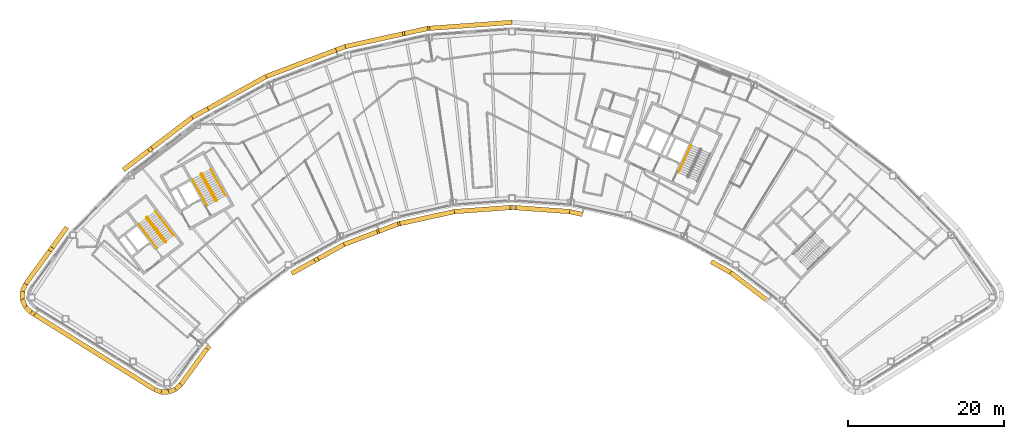
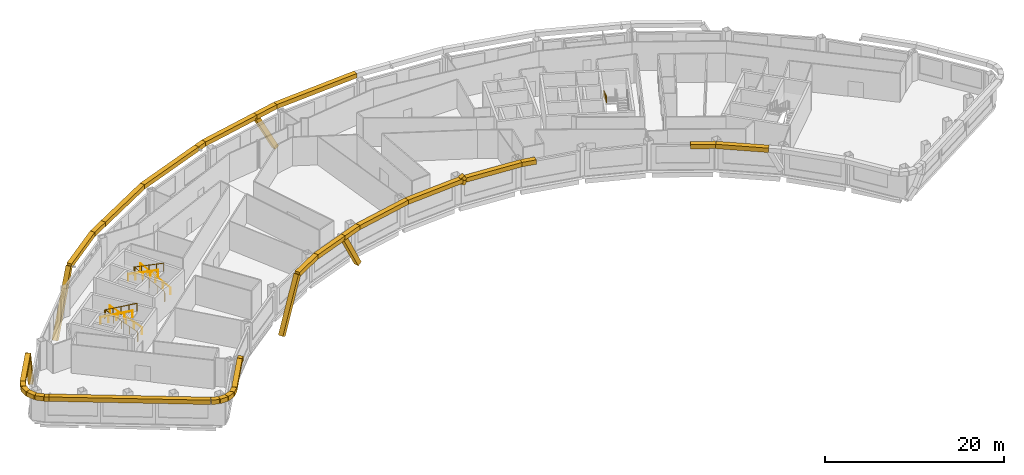
# One storey, part 14 of 16: 37 coverings, 7 railings.
"""IFC4 building model written with IfcOpenShell, lengths in metres."""

from ifc_helpers import new_model, si_unit, direction, frame, origin, origin_2d, place, context, subcontext, project, spatial, rectangle, circle, extrude, material, material_profile, profile_set, type_object, element, save


model = new_model("IFC4")

# Units and contexts
model_context = context("Model", 3, precision=1e-05, world=origin(), true_north=direction((0.0, 1.0)))
body_context = subcontext(model_context, "Body", "Model", "MODEL_VIEW")
ifc_project = project(units=[si_unit("LENGTHUNIT", "METRE"), si_unit("AREAUNIT", "SQUARE_METRE"), si_unit("VOLUMEUNIT", "CUBIC_METRE"), si_unit("PLANEANGLEUNIT", "RADIAN"), si_unit("MASSUNIT", "GRAM", prefix="KILO")], contexts=[model_context])

# Site, building, storey
site_placement = place(None, origin())
site = spatial("IfcSite", under=ifc_project, at=site_placement, CompositionType="ELEMENT")
building_placement = place(site_placement, origin())
building = spatial("IfcBuilding", under=site, at=building_placement, Name="Tuul Gate Civic Tower", CompositionType="ELEMENT")
storey_placement = place(building_placement, frame((0.0, 0.0, 261.0)))
storey = spatial("IfcBuildingStorey", under=building, at=storey_placement, Name="Level 59", CompositionType="ELEMENT", Elevation=261.0)

# Railings
ifc_material_1 = material(Name="Painted steel", Category="steel")
railing_type_1 = type_object("IfcRailingType", Name="Stair guard", PredefinedType="GUARDRAIL", material=ifc_material_1)
railing_1_placement = place(storey_placement, frame((-33.382080078125, -13.515380859375, 0.0)))
element("IfcRailing", 1, at=railing_1_placement, inside=storey, type_object=railing_type_1, Name="Level 59 ST-1 stair guard 1", PredefinedType="GUARDRAIL", context=body_context, shape_type="SweptSolid", body=[
    extrude(circle(Radius=0.02392578125, at=origin_2d()), frame((0.0, 0.0, 1.076171875), z_axis=(-0.795879841968, -0.605454603706, 0.0), x_axis=(0.605454603706, -0.795879841968, 0.0)), (0.0, 0.0, 1.0), 0.10009765625),
    extrude(circle(Radius=0.02392578125, at=origin_2d()), frame((-0.07958984375, -0.060546875, 1.076171875), z_axis=(0.408991890351, 0.599481263939, 0.688002796371), x_axis=(-0.826063974707, 0.563576356576, 0.0)), (0.0, 0.0, 1.0), 0.2177734375),
    extrude(circle(Radius=0.02392578125, at=origin_2d()), frame((0.009521484375, 0.070068359375, 1.22607421875), z_axis=(-0.541810893183, 0.711627203922, 0.44724454012), x_axis=(-0.795637165283, -0.60577347352, 0.0)), (0.0, 0.0, 1.0), 4.3603515625),
    extrude(circle(Radius=0.02392578125, at=origin_2d()), frame((-2.35302734375, 3.173095703125, 3.17626953125), z_axis=(-0.990893089246, 0.134650977284, 0.0), x_axis=(-0.134650977284, -0.990893089246, 0.0)), (0.0, 0.0, 1.0), 0.07080078125),
    extrude(circle(Radius=0.02392578125, at=origin_2d()), frame((-2.423095703125, 3.1826171875, 3.17626953125), z_axis=(-0.793802879778, -0.60817512943, 0.0), x_axis=(0.60817512943, -0.793802879778, 0.0)), (0.0, 0.0, 1.0), 0.099853515625),
    extrude(circle(Radius=0.02392578125, at=origin_2d()), frame((-2.50244140625, 3.121826171875, 3.17626953125), z_axis=(-0.057447065493, -0.422751481959, 0.904423031091), x_axis=(0.990893089246, -0.134650977284, 0.0)), (0.0, 0.0, 1.0), 0.165771484375),
    extrude(circle(Radius=0.02392578125, at=origin_2d()), frame((-2.511962890625, 3.0517578125, 3.326171875), z_axis=(0.541806494602, -0.71163897684, 0.447231136047), x_axis=(0.795644365679, 0.605764016233, 0.0)), (0.0, 0.0, 1.0), 4.360107421875),
    extrude(circle(Radius=0.02099609375, at=origin_2d()), origin(), (0.0, 0.0, 1.0), 1.052001953125),
    extrude(circle(Radius=0.02099609375, at=origin_2d()), frame((-0.07958984375, -0.060546875, 0.0)), (0.0, 0.0, 1.0), 1.052001953125),
    extrude(circle(Radius=0.02099609375, at=origin_2d()), frame((0.009521484375, 0.070068359375, 0.14990234375)), (0.0, 0.0, 1.0), 1.052001953125),
    extrude(circle(Radius=0.02099609375, at=origin_2d()), frame((-0.5810546875, 0.845703125, 0.637451171875)), (0.0, 0.0, 1.0), 1.052001953125),
    extrude(circle(Radius=0.02099609375, at=origin_2d()), frame((-1.171875, 1.62158203125, 1.125)), (0.0, 0.0, 1.0), 1.052001953125),
    extrude(circle(Radius=0.02099609375, at=origin_2d()), frame((-1.762451171875, 2.3974609375, 1.612548828125)), (0.0, 0.0, 1.0), 1.052001953125),
    extrude(circle(Radius=0.02099609375, at=origin_2d()), frame((-2.35302734375, 3.173095703125, 2.10009765625)), (0.0, 0.0, 1.0), 1.052001953125),
    extrude(circle(Radius=0.02099609375, at=origin_2d()), frame((-2.423095703125, 3.1826171875, 2.10009765625)), (0.0, 0.0, 1.0), 1.052001953125),
    extrude(circle(Radius=0.02099609375, at=origin_2d()), frame((-2.50244140625, 3.121826171875, 2.10009765625)), (0.0, 0.0, 1.0), 1.052001953125),
    extrude(circle(Radius=0.02099609375, at=origin_2d()), frame((-2.511962890625, 3.0517578125, 2.25)), (0.0, 0.0, 1.0), 1.052001953125),
    extrude(circle(Radius=0.02099609375, at=origin_2d()), frame((-1.92138671875, 2.276123046875, 2.737548828125)), (0.0, 0.0, 1.0), 1.052001953125),
    extrude(circle(Radius=0.02099609375, at=origin_2d()), frame((-1.330810546875, 1.50048828125, 3.22509765625)), (0.0, 0.0, 1.0), 1.052001953125),
    extrude(circle(Radius=0.02099609375, at=origin_2d()), frame((-0.740234375, 0.724609375, 3.71240234375)), (0.0, 0.0, 1.0), 1.052001953125),
    extrude(circle(Radius=0.02099609375, at=origin_2d()), frame((-0.149658203125, -0.051025390625, 4.199951171875)), (0.0, 0.0, 1.0), 1.052001953125),
])
railing_2_placement = place(storey_placement, frame((-26.857666015625, -8.247314453125, 0.0)))
element("IfcRailing", 2, at=railing_2_placement, inside=storey, type_object=railing_type_1, Name="Level 59 ST-2 stair guard 1", PredefinedType="GUARDRAIL", context=body_context, shape_type="SweptSolid", body=[
    extrude(circle(Radius=0.02392578125, at=origin_2d()), frame((0.0, 0.0, 1.076171875), z_axis=(-0.874616555828, -0.48481530532, 0.0), x_axis=(0.48481530532, -0.874616555828, 0.0)), (0.0, 0.0, 1.0), 0.10009765625),
    extrude(circle(Radius=0.02392578125, at=origin_2d()), frame((-0.087646484375, -0.048583984375, 1.076171875), z_axis=(0.49081399482, 0.534516610797, 0.688036056665), x_axis=(-0.736576986774, 0.676353711126, 0.0)), (0.0, 0.0, 1.0), 0.2177734375),
    extrude(circle(Radius=0.02392578125, at=origin_2d()), frame((0.019287109375, 0.06787109375, 1.22607421875), z_axis=(-0.433539057192, 0.782307594871, 0.447256875739), x_axis=(-0.874667644053, -0.484723129681, 0.0)), (0.0, 0.0, 1.0), 4.3603515625),
    extrude(circle(Radius=0.02392578125, at=origin_2d()), frame((-1.87109375, 3.47900390625, 3.17626953125), z_axis=(-0.961263487578, 0.275631107549, 0.0), x_axis=(-0.275631107549, -0.961263487578, 0.0)), (0.0, 0.0, 1.0), 0.07080078125),
    extrude(circle(Radius=0.02392578125, at=origin_2d()), frame((-1.939208984375, 3.49853515625, 3.17626953125), z_axis=(-0.874042088414, -0.485850211157, 0.0), x_axis=(0.485850211157, -0.874042088414, 0.0)), (0.0, 0.0, 1.0), 0.10009765625),
    extrude(circle(Radius=0.02392578125, at=origin_2d()), frame((-2.026611328125, 3.449951171875, 3.17626953125), z_axis=(-0.117866478395, -0.409586012422, 0.90462522168), x_axis=(0.961000426733, -0.276546885391, 0.0)), (0.0, 0.0, 1.0), 0.165771484375),
    extrude(circle(Radius=0.02392578125, at=origin_2d()), frame((-2.046142578125, 3.382080078125, 3.326171875), z_axis=(0.433595379963, -0.782308193291, 0.447201226726), x_axis=(0.874641102302, 0.484771020343, 0.0)), (0.0, 0.0, 1.0), 4.3603515625),
    extrude(circle(Radius=0.02099609375, at=origin_2d()), origin(), (0.0, 0.0, 1.0), 1.052001953125),
    extrude(circle(Radius=0.02099609375, at=origin_2d()), frame((-0.087646484375, -0.048583984375, 0.0)), (0.0, 0.0, 1.0), 1.052001953125),
    extrude(circle(Radius=0.02099609375, at=origin_2d()), frame((0.019287109375, 0.06787109375, 0.14990234375)), (0.0, 0.0, 1.0), 1.052001953125),
    extrude(circle(Radius=0.02099609375, at=origin_2d()), frame((-0.453369140625, 0.920654296875, 0.637451171875)), (0.0, 0.0, 1.0), 1.052001953125),
    extrude(circle(Radius=0.02099609375, at=origin_2d()), frame((-0.92578125, 1.7734375, 1.125)), (0.0, 0.0, 1.0), 1.052001953125),
    extrude(circle(Radius=0.02099609375, at=origin_2d()), frame((-1.3984375, 2.626220703125, 1.612548828125)), (0.0, 0.0, 1.0), 1.052001953125),
    extrude(circle(Radius=0.02099609375, at=origin_2d()), frame((-1.87109375, 3.47900390625, 2.10009765625)), (0.0, 0.0, 1.0), 1.052001953125),
    extrude(circle(Radius=0.02099609375, at=origin_2d()), frame((-1.939208984375, 3.49853515625, 2.10009765625)), (0.0, 0.0, 1.0), 1.052001953125),
    extrude(circle(Radius=0.02099609375, at=origin_2d()), frame((-2.026611328125, 3.449951171875, 2.10009765625)), (0.0, 0.0, 1.0), 1.052001953125),
    extrude(circle(Radius=0.02099609375, at=origin_2d()), frame((-2.046142578125, 3.382080078125, 2.25)), (0.0, 0.0, 1.0), 1.052001953125),
    extrude(circle(Radius=0.02099609375, at=origin_2d()), frame((-1.573486328125, 2.529296875, 2.737548828125)), (0.0, 0.0, 1.0), 1.052001953125),
    extrude(circle(Radius=0.02099609375, at=origin_2d()), frame((-1.100830078125, 1.676513671875, 3.22509765625)), (0.0, 0.0, 1.0), 1.052001953125),
    extrude(circle(Radius=0.02099609375, at=origin_2d()), frame((-0.628173828125, 0.82373046875, 3.71240234375)), (0.0, 0.0, 1.0), 1.052001953125),
    extrude(circle(Radius=0.02099609375, at=origin_2d()), frame((-0.155517578125, -0.029052734375, 4.199951171875)), (0.0, 0.0, 1.0), 1.052001953125),
])
ifc_material_2 = material(Name="Painted steel", Category="steel")
railing_type_2 = type_object("IfcRailingType", Name="Stair handrail", PredefinedType="HANDRAIL", material=ifc_material_2)
railing_3_placement = place(storey_placement, frame((-32.3779296875, -12.688232421875, 0.14990234375)))
element("IfcRailing", 3, at=railing_3_placement, inside=storey, type_object=railing_type_2, Name="Level 59 ST-1 stair handrail 1", PredefinedType="HANDRAIL", context=body_context, shape_type="SweptSolid", body=[
    extrude(circle(Radius=0.02392578125, at=origin_2d()), frame((0.0, 0.0, 0.8759765625), z_axis=(-0.541810893183, 0.711627203922, 0.44724454012), x_axis=(-0.795637165283, -0.60577347352, 0.0)), (0.0, 0.0, 1.0), 4.3603515625),
    extrude(circle(Radius=0.02099609375, at=origin_2d()), origin(), (0.0, 0.0, 1.0), 0.851806640625),
    extrude(circle(Radius=0.02099609375, at=origin_2d()), frame((-0.590576171875, 0.77587890625, 0.487548828125)), (0.0, 0.0, 1.0), 0.851806640625),
    extrude(circle(Radius=0.02099609375, at=origin_2d()), frame((-1.18115234375, 1.551513671875, 0.97509765625)), (0.0, 0.0, 1.0), 0.851806640625),
    extrude(circle(Radius=0.02099609375, at=origin_2d()), frame((-1.77197265625, 2.3271484375, 1.462646484375)), (0.0, 0.0, 1.0), 0.851806640625),
    extrude(circle(Radius=0.02099609375, at=origin_2d()), frame((-2.362548828125, 3.10302734375, 1.9501953125)), (0.0, 0.0, 1.0), 0.851806640625),
])
railing_4_placement = place(storey_placement, frame((-36.888671875, -11.220703125, 2.25)))
element("IfcRailing", 4, at=railing_4_placement, inside=storey, type_object=railing_type_2, Name="Level 59 ST-1 stair handrail 2", PredefinedType="HANDRAIL", context=body_context, shape_type="SweptSolid", body=[
    extrude(circle(Radius=0.02392578125, at=origin_2d()), frame((0.0, 0.0, 0.8759765625), z_axis=(0.541824460341, -0.711645023348, 0.447199748346), x_axis=(0.795637165283, 0.60577347352, 0.0)), (0.0, 0.0, 1.0), 4.3603515625),
    extrude(circle(Radius=0.02099609375, at=origin_2d()), origin(), (0.0, 0.0, 1.0), 0.851806640625),
    extrude(circle(Radius=0.02099609375, at=origin_2d()), frame((0.590576171875, -0.77587890625, 0.487548828125)), (0.0, 0.0, 1.0), 0.851806640625),
    extrude(circle(Radius=0.02099609375, at=origin_2d()), frame((1.18115234375, -1.551513671875, 0.97509765625)), (0.0, 0.0, 1.0), 0.851806640625),
    extrude(circle(Radius=0.02099609375, at=origin_2d()), frame((1.77197265625, -2.3271484375, 1.46240234375)), (0.0, 0.0, 1.0), 0.851806640625),
    extrude(circle(Radius=0.02099609375, at=origin_2d()), frame((2.362548828125, -3.10302734375, 1.949951171875)), (0.0, 0.0, 1.0), 0.851806640625),
])
railing_5_placement = place(storey_placement, frame((-25.744873046875, -7.573486328125, 0.14990234375)))
element("IfcRailing", 5, at=railing_5_placement, inside=storey, type_object=railing_type_2, Name="Level 59 ST-2 stair handrail 1", PredefinedType="HANDRAIL", context=body_context, shape_type="SweptSolid", body=[
    extrude(circle(Radius=0.02392578125, at=origin_2d()), frame((0.0, 0.0, 0.8759765625), z_axis=(-0.433584522764, 0.782288604346, 0.447246018574), x_axis=(-0.874641102302, -0.484771020343, 0.0)), (0.0, 0.0, 1.0), 4.3603515625),
    extrude(circle(Radius=0.02099609375, at=origin_2d()), origin(), (0.0, 0.0, 1.0), 0.851806640625),
    extrude(circle(Radius=0.02099609375, at=origin_2d()), frame((-0.47265625, 0.852783203125, 0.487548828125)), (0.0, 0.0, 1.0), 0.851806640625),
    extrude(circle(Radius=0.02099609375, at=origin_2d()), frame((-0.9453125, 1.70556640625, 0.97509765625)), (0.0, 0.0, 1.0), 0.851806640625),
    extrude(circle(Radius=0.02099609375, at=origin_2d()), frame((-1.41796875, 2.558349609375, 1.462646484375)), (0.0, 0.0, 1.0), 0.851806640625),
    extrude(circle(Radius=0.02099609375, at=origin_2d()), frame((-1.890625, 3.4111328125, 1.9501953125)), (0.0, 0.0, 1.0), 0.851806640625),
])
railing_6_placement = place(storey_placement, frame((-29.9970703125, -5.47119140625, 2.25)))
element("IfcRailing", 6, at=railing_6_placement, inside=storey, type_object=railing_type_2, Name="Level 59 ST-2 stair handrail 2", PredefinedType="HANDRAIL", context=body_context, shape_type="SweptSolid", body=[
    extrude(circle(Radius=0.02392578125, at=origin_2d()), frame((0.0, 0.0, 0.8759765625), z_axis=(0.433595379963, -0.782308193291, 0.447201226726), x_axis=(0.874641102302, 0.484771020343, 0.0)), (0.0, 0.0, 1.0), 4.3603515625),
    extrude(circle(Radius=0.02099609375, at=origin_2d()), origin(), (0.0, 0.0, 1.0), 0.851806640625),
    extrude(circle(Radius=0.02099609375, at=origin_2d()), frame((0.47265625, -0.852783203125, 0.487548828125)), (0.0, 0.0, 1.0), 0.851806640625),
    extrude(circle(Radius=0.02099609375, at=origin_2d()), frame((0.9453125, -1.70556640625, 0.97509765625)), (0.0, 0.0, 1.0), 0.851806640625),
    extrude(circle(Radius=0.02099609375, at=origin_2d()), frame((1.41796875, -2.558349609375, 1.46240234375)), (0.0, 0.0, 1.0), 0.851806640625),
    extrude(circle(Radius=0.02099609375, at=origin_2d()), frame((1.890625, -3.4111328125, 1.949951171875)), (0.0, 0.0, 1.0), 0.851806640625),
])
railing_7_placement = place(storey_placement, frame((34.046142578125, -1.06689453125, 2.25)))
element("IfcRailing", 7, at=railing_7_placement, inside=storey, type_object=railing_type_2, Name="Level 59 ST-4 stair handrail 2", PredefinedType="HANDRAIL", context=body_context, shape_type="SweptSolid", body=[
    extrude(circle(Radius=0.02392578125, at=origin_2d()), frame((0.0, 0.0, 0.8759765625), z_axis=(-0.377994896215, -0.810636958585, 0.447199709091), x_axis=(0.906312636903, -0.422607861012, 0.0)), (0.0, 0.0, 1.0), 4.3603515625),
    extrude(circle(Radius=0.02099609375, at=origin_2d()), origin(), (0.0, 0.0, 1.0), 0.851806640625),
    extrude(circle(Radius=0.02099609375, at=origin_2d()), frame((-0.412109375, -0.8837890625, 0.487548828125)), (0.0, 0.0, 1.0), 0.851806640625),
    extrude(circle(Radius=0.02099609375, at=origin_2d()), frame((-0.82421875, -1.767333984375, 0.97509765625)), (0.0, 0.0, 1.0), 0.851806640625),
    extrude(circle(Radius=0.02099609375, at=origin_2d()), frame((-1.236083984375, -2.65087890625, 1.46240234375)), (0.0, 0.0, 1.0), 0.851806640625),
    extrude(circle(Radius=0.02099609375, at=origin_2d()), frame((-1.648193359375, -3.53466796875, 1.949951171875)), (0.0, 0.0, 1.0), 0.851806640625),
])

# Coverings
ifc_material_3 = material(Name="Terracotta baguette", Category="masonry")
ifc_material_profile = material_profile(ifc_material_3, rectangle(XDim=0.60009765625, YDim=0.60009765625, at=origin_2d()), Name="Terracotta baguette screen frame")
ifc_profile_set = profile_set([ifc_material_profile], Name="Terracotta baguette")
covering_type = type_object("IfcCoveringType", Name="Terracotta baguette screen frame", PredefinedType="CLADDING", material=ifc_profile_set)
covering_1_placement = place(storey_placement, frame((0.20751953125, 13.89306640625, -1.75439453125), z_axis=(-0.464021709563, -0.102264160013, 0.879901070934), x_axis=(0.21522186499, -0.976565178997, 0.0)))
element("IfcCovering", 8, at=covering_1_placement, inside=storey, type_object=covering_type, Name="Baguette 82", PredefinedType="CLADDING", context=body_context, shape_type="SweptSolid", body=[
    extrude(rectangle(XDim=0.60009765625, YDim=0.60009765625, at=origin_2d()), origin(), (0.0, 0.0, 1.0), 6.369384765625),
])
covering_2_placement = place(storey_placement, frame((-2.748046875, 13.24169921875, 3.85009765625), z_axis=(-0.976558608026, -0.215251678484, 0.0), x_axis=(0.215251678484, -0.976558608026, 0.0)))
element("IfcCovering", 9, at=covering_2_placement, inside=storey, type_object=covering_type, Name="Baguette 89", PredefinedType="CLADDING", context=body_context, shape_type="SweptSolid", body=[
    extrude(rectangle(XDim=0.60009765625, YDim=0.60009765625, at=origin_2d()), origin(), (0.0, 0.0, 1.0), 7.82373046875),
])
covering_3_placement = place(storey_placement, frame((-10.388427734375, 11.5576171875, 3.85009765625), z_axis=(-0.935361445444, -0.353693322493, 0.0), x_axis=(0.353693322493, -0.935361445444, 0.0)))
element("IfcCovering", 10, at=covering_3_placement, inside=storey, type_object=covering_type, Name="Baguette 90", PredefinedType="CLADDING", context=body_context, shape_type="SweptSolid", body=[
    extrude(rectangle(XDim=0.60009765625, YDim=0.60009765625, at=origin_2d()), origin(), (0.0, 0.0, 1.0), 1.248779296875),
])
covering_4_placement = place(storey_placement, frame((-28.009521484375, 3.578125, 3.85009765625), z_axis=(-0.874585833692, -0.48487072453, 0.0), x_axis=(0.48487072453, -0.874585833692, 0.0)))
element("IfcCovering", 11, at=covering_4_placement, inside=storey, type_object=covering_type, Name="Baguette 107", PredefinedType="CLADDING", context=body_context, shape_type="SweptSolid", body=[
    extrude(rectangle(XDim=0.60009765625, YDim=0.60009765625, at=origin_2d()), origin(), (0.0, 0.0, 1.0), 2.30908203125),
])
covering_5_placement = place(storey_placement, frame((-30.029052734375, 2.45849609375, 3.85009765625), z_axis=(-0.795673622453, -0.605725586823, 0.0), x_axis=(0.605725586823, -0.795673622453, 0.0)))
element("IfcCovering", 12, at=covering_5_placement, inside=storey, type_object=covering_type, Name="Baguette 108", PredefinedType="CLADDING", context=body_context, shape_type="SweptSolid", body=[
    extrude(rectangle(XDim=0.60009765625, YDim=0.60009765625, at=origin_2d()), origin(), (0.0, 0.0, 1.0), 6.76318359375),
])
covering_6_placement = place(storey_placement, frame((-35.410400390625, -1.63818359375, 3.85009765625), z_axis=(-0.378063110768, -0.287839957166, -0.879895700259), x_axis=(0.605766045279, -0.79564282086, 0.0)))
element("IfcCovering", 13, at=covering_6_placement, inside=storey, type_object=covering_type, Name="Baguette 111", PredefinedType="CLADDING", context=body_context, shape_type="SweptSolid", body=[
    extrude(rectangle(XDim=0.60009765625, YDim=0.60009765625, at=origin_2d()), origin(), (0.0, 0.0, 1.0), 8.602294921875),
])
covering_7_placement = place(storey_placement, frame((-46.258544921875, -11.86376953125, -2.08642578125), z_axis=(-0.281381388158, -0.385223228643, 0.878878591452), x_axis=(0.807518817667, -0.589841808551, 0.0)))
element("IfcCovering", 14, at=covering_7_placement, inside=storey, type_object=covering_type, Name="Baguette 124", PredefinedType="CLADDING", context=body_context, shape_type="SweptSolid", body=[
    extrude(rectangle(XDim=0.60009765625, YDim=0.60009765625, at=origin_2d()), origin(), (0.0, 0.0, 1.0), 6.754638671875),
])
covering_8_placement = place(storey_placement, frame((-48.1591796875, -14.4658203125, 3.85009765625), z_axis=(-0.589803348116, -0.807546909196, 0.0), x_axis=(0.807546909196, -0.589803348116, 0.0)))
element("IfcCovering", 15, at=covering_8_placement, inside=storey, type_object=covering_type, Name="Baguette 135", PredefinedType="CLADDING", context=body_context, shape_type="SweptSolid", body=[
    extrude(rectangle(XDim=0.60009765625, YDim=0.60009765625, at=origin_2d()), origin(), (0.0, 0.0, 1.0), 5.511962890625),
])
covering_9_placement = place(storey_placement, frame((-51.41015625, -18.9169921875, 3.85009765625), z_axis=(-0.4130215853, -0.910721236206, 0.0), x_axis=(0.910721236206, -0.4130215853, 0.0)))
element("IfcCovering", 16, at=covering_9_placement, inside=storey, type_object=covering_type, Name="Baguette 136", PredefinedType="CLADDING", context=body_context, shape_type="SweptSolid", body=[
    extrude(rectangle(XDim=0.60009765625, YDim=0.60009765625, at=origin_2d()), origin(), (0.0, 0.0, 1.0), 0.989013671875),
])
covering_10_placement = place(storey_placement, frame((-51.818603515625, -19.817626953125, 3.85009765625), z_axis=(-0.014650442147, -0.999892676513, 0.0), x_axis=(0.999892676513, -0.014650442147, 0.0)))
element("IfcCovering", 17, at=covering_10_placement, inside=storey, type_object=covering_type, Name="Baguette 137", PredefinedType="CLADDING", context=body_context, shape_type="SweptSolid", body=[
    extrude(rectangle(XDim=0.60009765625, YDim=0.60009765625, at=origin_2d()), origin(), (0.0, 0.0, 1.0), 1.06640625),
])
covering_11_placement = place(storey_placement, frame((-51.834228515625, -20.884033203125, 3.85009765625), z_axis=(0.385378072861, -0.922758766394, 0.0), x_axis=(0.922758766394, 0.385378072861, 0.0)))
element("IfcCovering", 18, at=covering_11_placement, inside=storey, type_object=covering_type, Name="Baguette 138", PredefinedType="CLADDING", context=body_context, shape_type="SweptSolid", body=[
    extrude(rectangle(XDim=0.60009765625, YDim=0.60009765625, at=origin_2d()), origin(), (0.0, 0.0, 1.0), 1.068115234375),
])
covering_12_placement = place(storey_placement, frame((-51.422607421875, -21.86962890625, 3.85009765625), z_axis=(0.722749211147, -0.69111039479, 0.0), x_axis=(0.69111039479, 0.722749211147, 0.0)))
element("IfcCovering", 19, at=covering_12_placement, inside=storey, type_object=covering_type, Name="Baguette 139", PredefinedType="CLADDING", context=body_context, shape_type="SweptSolid", body=[
    extrude(rectangle(XDim=0.60009765625, YDim=0.60009765625, at=origin_2d()), origin(), (0.0, 0.0, 1.0), 0.98779296875),
])
covering_13_placement = place(storey_placement, frame((-50.708740234375, -22.55224609375, 3.85009765625), z_axis=(0.848151153027, -0.529754303067, 0.0), x_axis=(0.529754303067, 0.848151153027, 0.0)))
element("IfcCovering", 20, at=covering_13_placement, inside=storey, type_object=covering_type, Name="Baguette 140", PredefinedType="CLADDING", context=body_context, shape_type="SweptSolid", body=[
    extrude(rectangle(XDim=0.60009765625, YDim=0.60009765625, at=origin_2d()), origin(), (0.0, 0.0, 1.0), 0.538330078125),
])
covering_14_placement = place(storey_placement, frame((-34.853759765625, -32.460205078125, 3.85009765625), z_axis=(0.93181662135, -0.362929447932, 0.0), x_axis=(0.362929447932, 0.93181662135, 0.0)))
element("IfcCovering", 21, at=covering_14_placement, inside=storey, type_object=covering_type, Name="Baguette 165", PredefinedType="CLADDING", context=body_context, shape_type="SweptSolid", body=[
    extrude(rectangle(XDim=0.60009765625, YDim=0.60009765625, at=origin_2d()), origin(), (0.0, 0.0, 1.0), 0.902099609375),
])
covering_15_placement = place(storey_placement, frame((-34.01318359375, -32.78759765625, 3.85009765625), z_axis=(0.999990900757, 0.004265958673, 0.0), x_axis=(-0.004265958673, 0.999990900757, 0.0)))
element("IfcCovering", 22, at=covering_15_placement, inside=storey, type_object=covering_type, Name="Baguette 166", PredefinedType="CLADDING", context=body_context, shape_type="SweptSolid", body=[
    extrude(rectangle(XDim=0.60009765625, YDim=0.60009765625, at=origin_2d()), origin(), (0.0, 0.0, 1.0), 0.972900390625),
])
covering_16_placement = place(storey_placement, frame((-33.040283203125, -32.783447265625, 3.85009765625), z_axis=(0.929665294904, 0.368405265232, 0.0), x_axis=(-0.368405265232, 0.929665294904, 0.0)))
element("IfcCovering", 23, at=covering_16_placement, inside=storey, type_object=covering_type, Name="Baguette 167", PredefinedType="CLADDING", context=body_context, shape_type="SweptSolid", body=[
    extrude(rectangle(XDim=0.60009765625, YDim=0.60009765625, at=origin_2d()), origin(), (0.0, 0.0, 1.0), 0.973388671875),
])
covering_17_placement = place(storey_placement, frame((-32.13525390625, -32.4248046875, 3.85009765625), z_axis=(0.730001285686, 0.683445771731, 0.0), x_axis=(-0.683445771731, 0.730001285686, 0.0)))
element("IfcCovering", 24, at=covering_17_placement, inside=storey, type_object=covering_type, Name="Baguette 168", PredefinedType="CLADDING", context=body_context, shape_type="SweptSolid", body=[
    extrude(rectangle(XDim=0.60009765625, YDim=0.60009765625, at=origin_2d()), origin(), (0.0, 0.0, 1.0), 0.902099609375),
])
covering_18_placement = place(storey_placement, frame((-31.476806640625, -31.808349609375, 3.85009765625), z_axis=(0.589729447422, 0.807600878432, 0.0), x_axis=(-0.807600878432, 0.589729447422, 0.0)))
element("IfcCovering", 25, at=covering_18_placement, inside=storey, type_object=covering_type, Name="Baguette 169", PredefinedType="CLADDING", context=body_context, shape_type="SweptSolid", body=[
    extrude(rectangle(XDim=0.60009765625, YDim=0.60009765625, at=origin_2d()), origin(), (0.0, 0.0, 1.0), 5.671142578125),
])
covering_19_placement = place(storey_placement, frame((-28.13232421875, -27.228271484375, 3.85009765625), z_axis=(0.69989931795, 0.714241517088, 0.0), x_axis=(-0.714241517088, 0.69989931795, 0.0)))
element("IfcCovering", 26, at=covering_19_placement, inside=storey, type_object=covering_type, Name="Baguette 170", PredefinedType="CLADDING", context=body_context, shape_type="SweptSolid", body=[
    extrude(rectangle(XDim=0.60009765625, YDim=0.60009765625, at=origin_2d()), origin(), (0.0, 0.0, 1.0), 0.5107421875),
])
covering_20_placement = place(storey_placement, frame((-17.037841796875, -17.4375, -2.56298828125), z_axis=(0.40769757594, 0.225993451843, 0.884708791805), x_axis=(-0.484814535544, 0.874616982527, 0.0)))
element("IfcCovering", 27, at=covering_20_placement, inside=storey, type_object=covering_type, Name="Baguette 189", PredefinedType="CLADDING", context=body_context, shape_type="SweptSolid", body=[
    extrude(rectangle(XDim=0.60009765625, YDim=0.60009765625, at=origin_2d()), origin(), (0.0, 0.0, 1.0), 7.248779296875),
])
covering_21_placement = place(storey_placement, frame((-14.08251953125, -15.79931640625, 3.85009765625), z_axis=(0.874641542533, 0.484770226062, 0.0), x_axis=(-0.484770226062, 0.874641542533, 0.0)))
element("IfcCovering", 28, at=covering_21_placement, inside=storey, type_object=covering_type, Name="Baguette 196", PredefinedType="CLADDING", context=body_context, shape_type="SweptSolid", body=[
    extrude(rectangle(XDim=0.60009765625, YDim=0.60009765625, at=origin_2d()), origin(), (0.0, 0.0, 1.0), 4.0390625),
])
covering_22_placement = place(storey_placement, frame((-10.5498046875, -13.84130859375, 3.85009765625), z_axis=(0.935318471255, 0.353806949238, 0.0), x_axis=(-0.353806949238, 0.935318471255, 0.0)))
element("IfcCovering", 29, at=covering_22_placement, inside=storey, type_object=covering_type, Name="Baguette 197", PredefinedType="CLADDING", context=body_context, shape_type="SweptSolid", body=[
    extrude(rectangle(XDim=0.60009765625, YDim=0.60009765625, at=origin_2d()), origin(), (0.0, 0.0, 1.0), 4.81298828125),
])
covering_23_placement = place(storey_placement, frame((-6.048095703125, -12.138427734375, 3.85009765625), z_axis=(0.435963750516, 0.164906128076, -0.884726837594), x_axis=(-0.353792387079, 0.935323979616, 0.0)))
element("IfcCovering", 30, at=covering_23_placement, inside=storey, type_object=covering_type, Name="Baguette 200", PredefinedType="CLADDING", context=body_context, shape_type="SweptSolid", body=[
    extrude(rectangle(XDim=0.60009765625, YDim=0.60009765625, at=origin_2d()), origin(), (0.0, 0.0, 1.0), 5.5888671875),
])
covering_24_placement = place(storey_placement, frame((11.031005859375, -9.0849609375, 3.3505859375), z_axis=(0.464857530428, -0.033729197557, 0.884742797448), x_axis=(0.072367892575, 0.997378006638, 0.0)))
element("IfcCovering", 31, at=covering_24_placement, inside=storey, type_object=covering_type, Name="Baguette 215", PredefinedType="CLADDING", context=body_context, shape_type="SweptSolid", body=[
    extrude(rectangle(XDim=0.60009765625, YDim=0.60009765625, at=origin_2d()), origin(), (0.0, 0.0, 1.0), 0.564697265625),
])
covering_25_placement = place(storey_placement, frame((11.031005859375, -9.0849609375, 4.349365234375), z_axis=(0.465035436769, -0.03374210611, -0.884648807621), x_axis=(0.072367892575, 0.997378006638, 0.0)))
element("IfcCovering", 32, at=covering_25_placement, inside=storey, type_object=covering_type, Name="Baguette 217", PredefinedType="CLADDING", context=body_context, shape_type="SweptSolid", body=[
    extrude(rectangle(XDim=0.60009765625, YDim=0.60009765625, at=origin_2d()), origin(), (0.0, 0.0, 1.0), 0.564453125),
])
covering_26_placement = place(storey_placement, frame((11.29345703125, -9.10400390625, 3.85009765625), z_axis=(0.997385081157, -0.072270325073, 0.0), x_axis=(0.072270325073, 0.997385081157, 0.0)))
element("IfcCovering", 33, at=covering_26_placement, inside=storey, type_object=covering_type, Name="Baguette 222", PredefinedType="CLADDING", context=body_context, shape_type="SweptSolid", body=[
    extrude(rectangle(XDim=0.60009765625, YDim=0.60009765625, at=origin_2d()), origin(), (0.0, 0.0, 1.0), 7.155029296875),
])
covering_27_placement = place(storey_placement, frame((18.4296875, -9.62109375, 3.85009765625), z_axis=(0.976594928583, -0.215086832385, 0.0), x_axis=(0.215086832385, 0.976594928583, 0.0)))
element("IfcCovering", 34, at=covering_27_placement, inside=storey, type_object=covering_type, Name="Baguette 223", PredefinedType="CLADDING", context=body_context, shape_type="SweptSolid", body=[
    extrude(rectangle(XDim=0.60009765625, YDim=0.60009765625, at=origin_2d()), origin(), (0.0, 0.0, 1.0), 1.697021484375),
])
covering_28_placement = place(storey_placement, frame((36.604736328125, -16.054443359375, 3.85009765625), z_axis=(0.874621104425, -0.484807099468, 0.0), x_axis=(0.484807099468, 0.874621104425, 0.0)))
element("IfcCovering", 35, at=covering_28_placement, inside=storey, type_object=covering_type, Name="Baguette 242", PredefinedType="CLADDING", context=body_context, shape_type="SweptSolid", body=[
    extrude(rectangle(XDim=0.60009765625, YDim=0.60009765625, at=origin_2d()), origin(), (0.0, 0.0, 1.0), 2.852783203125),
])
covering_29_placement = place(storey_placement, frame((39.099853515625, -17.4375, 3.85009765625), z_axis=(0.795627855094, -0.605785701546, 0.0), x_axis=(0.605785701546, 0.795627855094, 0.0)))
element("IfcCovering", 36, at=covering_29_placement, inside=storey, type_object=covering_type, Name="Baguette 243", PredefinedType="CLADDING", context=body_context, shape_type="SweptSolid", body=[
    extrude(rectangle(XDim=0.60009765625, YDim=0.60009765625, at=origin_2d()), origin(), (0.0, 0.0, 1.0), 5.999267578125),
])
covering_30_placement = place(storey_placement, frame((11.031005859375, 14.677001953125, 3.85009765625), z_axis=(-0.99738728677, -0.072239879499, 0.0), x_axis=(0.072239879499, -0.99738728677, 0.0)))
element("IfcCovering", 37, at=covering_30_placement, inside=storey, type_object=covering_type, Name="Baguette 309", PredefinedType="CLADDING", context=body_context, shape_type="SweptSolid", body=[
    extrude(rectangle(XDim=0.60009765625, YDim=0.60009765625, at=origin_2d()), origin(), (0.0, 0.0, 1.0), 10.851806640625),
])
covering_31_placement = place(storey_placement, frame((0.20751953125, 13.89306640625, 3.85009765625), z_axis=(-0.976565178997, -0.21522186499, 0.0), x_axis=(0.21522186499, -0.976565178997, 0.0)))
element("IfcCovering", 38, at=covering_31_placement, inside=storey, type_object=covering_type, Name="Baguette 310", PredefinedType="CLADDING", context=body_context, shape_type="SweptSolid", body=[
    extrude(rectangle(XDim=0.60009765625, YDim=0.60009765625, at=origin_2d()), origin(), (0.0, 0.0, 1.0), 3.026611328125),
])
covering_32_placement = place(storey_placement, frame((-11.556396484375, 11.115966796875, 3.85009765625), z_axis=(-0.935346515686, -0.353732802542, 0.0), x_axis=(0.353732802542, -0.935346515686, 0.0)))
element("IfcCovering", 39, at=covering_32_placement, inside=storey, type_object=covering_type, Name="Baguette 317", PredefinedType="CLADDING", context=body_context, shape_type="SweptSolid", body=[
    extrude(rectangle(XDim=0.60009765625, YDim=0.60009765625, at=origin_2d()), origin(), (0.0, 0.0, 1.0), 9.6025390625),
])
covering_33_placement = place(storey_placement, frame((-20.5380859375, 7.71923828125, 3.85009765625), z_axis=(-0.874638125691, -0.484776390811, 0.0), x_axis=(0.484776390811, -0.874638125691, 0.0)))
element("IfcCovering", 40, at=covering_33_placement, inside=storey, type_object=covering_type, Name="Baguette 318", PredefinedType="CLADDING", context=body_context, shape_type="SweptSolid", body=[
    extrude(rectangle(XDim=0.60009765625, YDim=0.60009765625, at=origin_2d()), origin(), (0.0, 0.0, 1.0), 8.542236328125),
])
covering_34_placement = place(storey_placement, frame((-50.252197265625, -22.83740234375, 3.85009765625), z_axis=(0.848027846478, -0.529951669115, 0.0), x_axis=(0.529951669115, 0.848027846478, 0.0)))
element("IfcCovering", 41, at=covering_34_placement, inside=storey, type_object=covering_type, Name="Baguette 329", PredefinedType="CLADDING", context=body_context, shape_type="SweptSolid", body=[
    extrude(rectangle(XDim=0.60009765625, YDim=0.60009765625, at=origin_2d()), origin(), (0.0, 0.0, 1.0), 18.105712890625),
])
covering_35_placement = place(storey_placement, frame((-6.048095703125, -12.138427734375, 3.85009765625), z_axis=(0.935323979616, 0.353792387079, 0.0), x_axis=(-0.353792387079, 0.935323979616, 0.0)))
element("IfcCovering", 42, at=covering_35_placement, inside=storey, type_object=covering_type, Name="Baguette 352", PredefinedType="CLADDING", context=body_context, shape_type="SweptSolid", body=[
    extrude(rectangle(XDim=0.60009765625, YDim=0.60009765625, at=origin_2d()), origin(), (0.0, 0.0, 1.0), 2.60498046875),
])
covering_36_placement = place(storey_placement, frame((-3.611572265625, -11.216796875, 3.85009765625), z_axis=(0.976586552641, 0.215124859562, 0.0), x_axis=(-0.215124859562, 0.976586552641, 0.0)))
element("IfcCovering", 43, at=covering_36_placement, inside=storey, type_object=covering_type, Name="Baguette 353", PredefinedType="CLADDING", context=body_context, shape_type="SweptSolid", body=[
    extrude(rectangle(XDim=0.60009765625, YDim=0.60009765625, at=origin_2d()), origin(), (0.0, 0.0, 1.0), 7.41748046875),
])
covering_37_placement = place(storey_placement, frame((3.63232421875, -9.62109375, 3.85009765625), z_axis=(0.997384830366, 0.072273786091, 0.0), x_axis=(-0.072273786091, 0.997384830366, 0.0)))
element("IfcCovering", 44, at=covering_37_placement, inside=storey, type_object=covering_type, Name="Baguette 354", PredefinedType="CLADDING", context=body_context, shape_type="SweptSolid", body=[
    extrude(rectangle(XDim=0.60009765625, YDim=0.60009765625, at=origin_2d()), origin(), (0.0, 0.0, 1.0), 7.41796875),
])

save(model, "model.ifc")
